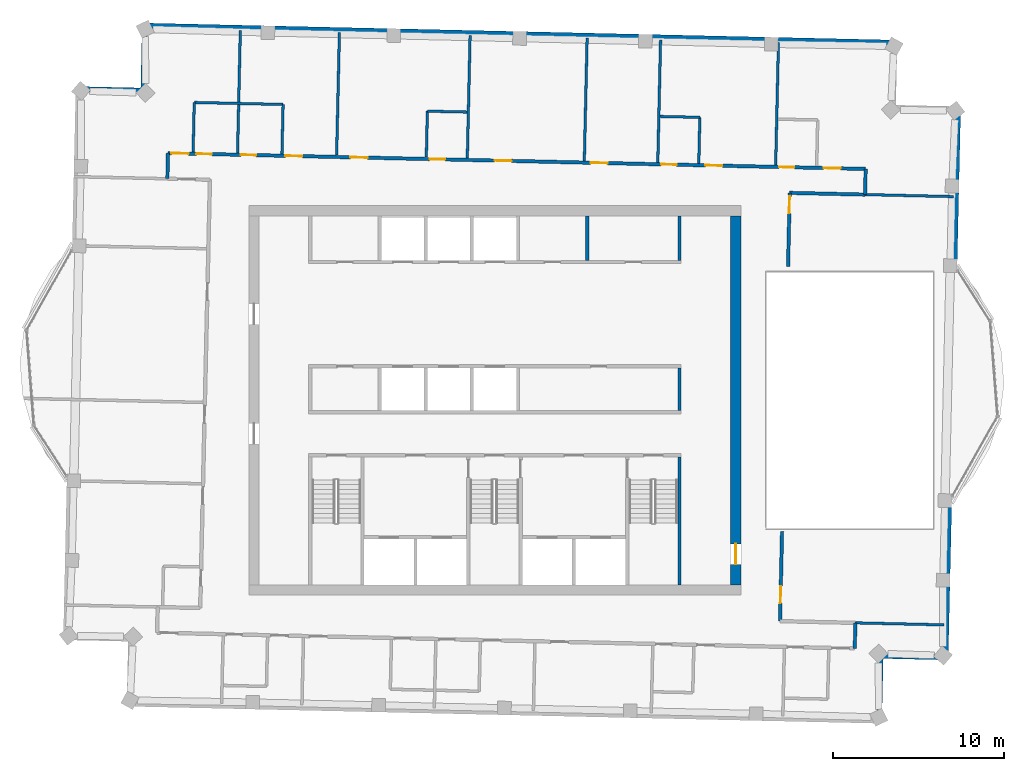
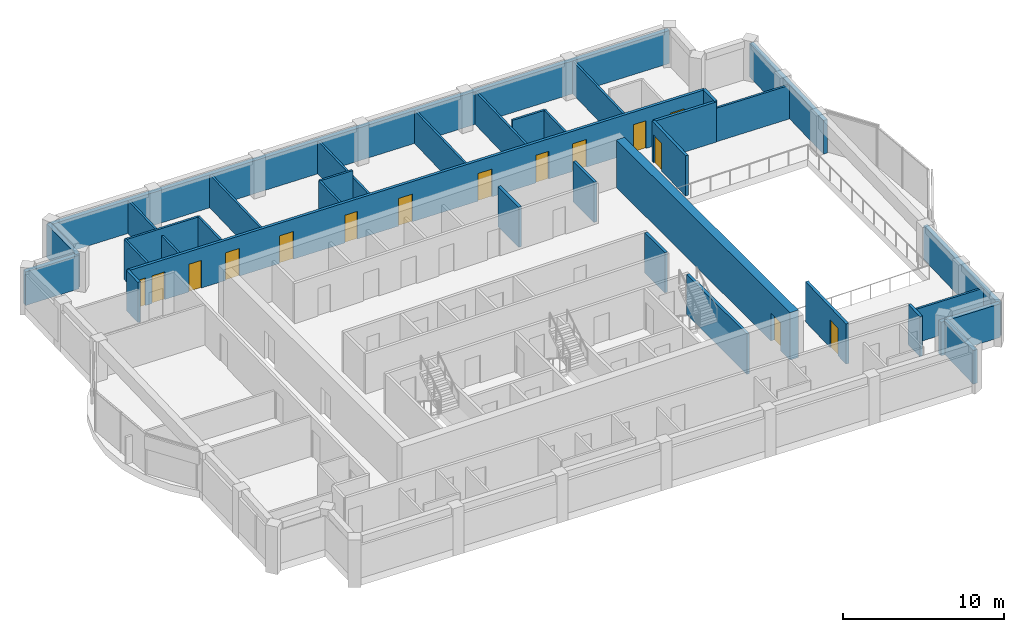
# One storey, part 9 of 12: 34 walls, 15 doors, 15 openings.
"""IFC4 building model written with IfcOpenShell, lengths in metres."""

from ifc_helpers import new_model, si_unit, direction, frame, frame_2d, origin, place, context, subcontext, project, spatial, rectangle, extrude, material, layer, layer_set, type_object, element, fill, save


model = new_model("IFC4")

# Units and contexts
model_context = context("Model", 3, precision=1e-05, world=origin(), true_north=direction((0.0, 1.0)))
body_context = subcontext(model_context, "Body", "Model", "MODEL_VIEW")
ifc_project = project(units=[si_unit("LENGTHUNIT", "METRE"), si_unit("AREAUNIT", "SQUARE_METRE"), si_unit("VOLUMEUNIT", "CUBIC_METRE"), si_unit("PLANEANGLEUNIT", "RADIAN"), si_unit("MASSUNIT", "GRAM", prefix="KILO")], contexts=[model_context])

# Site, building, storey
site_placement = place(None, origin())
site = spatial("IfcSite", under=ifc_project, at=site_placement, CompositionType="ELEMENT")
building_placement = place(site_placement, origin())
building = spatial("IfcBuilding", under=site, at=building_placement, Name="Mangrove Gate Tower", CompositionType="ELEMENT")
storey_placement = place(building_placement, frame((0.0, 0.0, 342.5)))
storey = spatial("IfcBuildingStorey", under=building, at=storey_placement, Name="L87", CompositionType="ELEMENT", Elevation=342.5)

# Walls
ifc_material_1 = material(Name="Concrete C32/40", Category="concrete")
ifc_layer_1 = layer(ifc_material_1, 0.199951171875)
ifc_layer_set_1 = layer_set([ifc_layer_1], Name="Core room wall 200 C32/40")
wall_type_1 = type_object("IfcWallType", Name="Core room wall 200 C32/40", PredefinedType="STANDARD", material=ifc_layer_set_1)
wall_1_placement = place(storey_placement, frame((10.800048828125, -0.60009765625, 0.0), z_axis=(0.0, 0.0, 1.0), x_axis=(0.0, 1.0, 0.0)))
element("IfcWall", 1, at=wall_1_placement, inside=storey, type_object=wall_type_1, Name="WALL-L87-CORE-24", PredefinedType="STANDARD", context=body_context, shape_type="SweptSolid", body=[
    extrude(rectangle(XDim=2.5, YDim=0.199951171875, at=frame_2d((1.25, 0.0))), origin(), (0.0, 0.0, 1.0), 3.050048828125),
])
for number, where, z_axis, x_axis, name in (
    (2, (5.39990234375, 8.199951171875, 0.0), (0.0, 0.0, 1.0), (0.0, 1.0, 0.0), "WALL-L87-CORE-30"),
    (3, (10.800048828125, 8.199951171875, 0.0), (0.0, 0.0, 1.0), (0.0, 1.0, 0.0), "WALL-L87-CORE-31"),
):
    element("IfcWall", number, at=place(storey_placement, frame(where, z_axis=z_axis, x_axis=x_axis)), inside=storey, type_object=wall_type_1, Name=name, PredefinedType="STANDARD", context=body_context, shape_type="SweptSolid", body=[
        extrude(rectangle(XDim=2.60009765625, YDim=0.199951171875, at=frame_2d((1.300048828125, 0.0))), origin(), (0.0, 0.0, 1.0), 3.050048828125),
    ])
ifc_material_2 = material(Name="Concrete C50/60", Category="concrete")
ifc_layer_2 = layer(ifc_material_2, 0.199951171875)
ifc_layer_set_2 = layer_set([ifc_layer_2], Name="Core stair wall 200 C50/60")
wall_type_2 = type_object("IfcWallType", Name="Core stair wall 200 C50/60", PredefinedType="SHEAR", material=ifc_layer_set_2)
wall_2_placement = place(storey_placement, frame((10.800048828125, -10.800048828125, 0.0), z_axis=(0.0, 0.0, 1.0), x_axis=(0.0, 1.0, 0.0)))
element("IfcWall", 4, at=wall_2_placement, inside=storey, type_object=wall_type_2, Name="WALL-L87-CORE-14", PredefinedType="SHEAR", context=body_context, shape_type="SweptSolid", body=[
    extrude(rectangle(XDim=7.5, YDim=0.199951171875, at=frame_2d((3.75, 0.0))), origin(), (0.0, 0.0, 1.0), 3.050048828125),
])

# Wall, opening, door
ifc_material_3 = material(Name="Concrete C50/60", Category="concrete")
ifc_layer_3 = layer(ifc_material_3, 0.60009765625)
ifc_layer_set_3 = layer_set([ifc_layer_3], Name="Core wall 600 C50/60")
wall_type_3 = type_object("IfcWallType", Name="Core wall 600 C50/60", PredefinedType="SHEAR", material=ifc_layer_set_3)
wall_3_placement = place(storey_placement, frame((14.10009765625, -10.800048828125, 0.0), z_axis=(0.0, 0.0, 1.0), x_axis=(0.0, 1.0, 0.0)))
wall_3 = element("IfcWall", 5, at=wall_3_placement, inside=storey, type_object=wall_type_3, Name="WALL-L87-CORE-4", PredefinedType="SHEAR", context=body_context, shape_type="SweptSolid", body=[
    extrude(rectangle(XDim=21.60009765625, YDim=0.60009765625, at=frame_2d((10.800048828125, 0.0))), origin(), (0.0, 0.0, 1.0), 3.60009765625),
])
opening_1_placement = place(wall_3_placement, frame((1.199951171875, 0.0, 0.0)))
opening_1 = element("IfcOpeningElement", 6, at=opening_1_placement, cuts=wall_3, Name="Opening CD", PredefinedType="OPENING", context=body_context, shape_type="SweptSolid", body=[
    extrude(rectangle(XDim=1.199951171875, YDim=2.10009765625, at=frame_2d((0.60009765625, 1.050048828125))), frame((0.0, 0.31005859375, 0.0), z_axis=(0.0, -1.0, 0.0), x_axis=(1.0, 0.0, 0.0)), (0.0, 0.0, 1.0), 0.6201171875),
])
ifc_material_4 = material(Name="Fire-rated steel door set", Category="steel")
door_type_1 = type_object("IfcDoorType", Name="Core ring door FD60 1200x2100", OperationType="DOUBLE_DOOR_SINGLE_SWING", PredefinedType="DOOR", material=ifc_material_4)
door_1_placement = place(opening_1_placement, origin())
door_1 = element("IfcDoor", 7, at=door_1_placement, inside=storey, type_object=door_type_1, Name="Core ring door E1", OperationType="DOUBLE_DOOR_SINGLE_SWING", OverallHeight=2.10009765625, OverallWidth=1.199951171875, PredefinedType="DOOR", context=body_context, shape_type="SweptSolid", body=[
    extrude(rectangle(XDim=1.199951171875, YDim=2.10009765625, at=frame_2d((0.60009765625, 1.050048828125))), frame((0.0, 0.02490234375, 0.0), z_axis=(0.0, -1.0, 0.0), x_axis=(1.0, 0.0, 0.0)), (0.0, 0.0, 1.0), 0.050048828125),
])
fill(opening_1, door_1)

# Wall
ifc_material_5 = material(Name="Gypsum board on steel stud, EI 60", Category="steel")
ifc_layer_4 = layer(ifc_material_5, 0.199951171875)
ifc_layer_set_4 = layer_set([ifc_layer_4], Name="Corridor wall EI 60")
wall_type_4 = type_object("IfcWallType", Name="Corridor wall EI 60", PredefinedType="PARTITIONING", material=ifc_layer_set_4)
wall_4_placement = place(storey_placement, frame((21.05908203125, -14.51806640625, 0.0), z_axis=(0.0, 0.0, 1.0), x_axis=(0.022632637625, 0.99974384905, 0.0)))
element("IfcWall", 8, at=wall_4_placement, inside=storey, type_object=wall_type_4, Name="WALL-L87-018", PredefinedType="PARTITIONING", context=body_context, shape_type="SweptSolid", body=[
    extrude(rectangle(XDim=1.49951171875, YDim=0.199951171875, at=frame_2d((0.749755859375, 0.0))), origin(), (0.0, 0.0, 1.0), 3.050048828125),
])

# Wall, opening, door
wall_5_placement = place(storey_placement, frame((16.68408203125, -12.9189453125, 0.0), z_axis=(0.0, 0.0, 1.0), x_axis=(0.022667483124, 0.999743059595, 0.0)))
wall_5 = element("IfcWall", 9, at=wall_5_placement, inside=storey, type_object=wall_type_4, Name="WALL-L87-024", PredefinedType="PARTITIONING", context=body_context, shape_type="SweptSolid", body=[
    extrude(rectangle(XDim=5.245361328125, YDim=0.199951171875, at=frame_2d((2.62255859375, 0.0))), origin(), (0.0, 0.0, 1.0), 3.050048828125),
])
opening_2_placement = place(wall_5_placement, frame((1.051025390625, 0.0, 0.0)))
opening_2 = element("IfcOpeningElement", 10, at=opening_2_placement, cuts=wall_5, Name="Opening AD", PredefinedType="OPENING", context=body_context, shape_type="SweptSolid", body=[
    extrude(rectangle(XDim=1.0, YDim=2.10009765625, at=frame_2d((0.5, 1.050048828125))), frame((0.0, 0.10986328125, 0.0), z_axis=(0.0, -1.0, 0.0), x_axis=(1.0, 0.0, 0.0)), (0.0, 0.0, 1.0), 0.219970703125),
])
ifc_material_6 = material(Name="Timber door leaf", Category="wood")
door_type_2 = type_object("IfcDoorType", Name="Amenity door 1000", OperationType="SINGLE_SWING_LEFT", PredefinedType="DOOR", material=ifc_material_6)
door_2_placement = place(opening_2_placement, origin())
door_2 = element("IfcDoor", 11, at=door_2_placement, inside=storey, type_object=door_type_2, Name="DOOR-L87-LNG-c2b", OperationType="SINGLE_SWING_RIGHT", OverallHeight=2.10009765625, OverallWidth=1.0, PredefinedType="DOOR", context=body_context, shape_type="SweptSolid", body=[
    extrude(rectangle(XDim=1.0, YDim=2.10009765625, at=frame_2d((0.5, 1.050048828125))), frame((0.0, 0.02490234375, 0.0), z_axis=(0.0, -1.0, 0.0), x_axis=(1.0, 0.0, 0.0)), (0.0, 0.0, 1.0), 0.050048828125),
])
fill(opening_2, door_2)

wall_6_placement = place(storey_placement, frame((17.155029296875, 7.845947265625, 0.0), z_axis=(0.0, 0.0, 1.0), x_axis=(0.022745886685, 0.999741278851, 0.0)))
wall_6 = element("IfcWall", 12, at=wall_6_placement, inside=storey, type_object=wall_type_4, Name="WALL-L87-029", PredefinedType="PARTITIONING", context=body_context, shape_type="SweptSolid", body=[
    extrude(rectangle(XDim=4.30419921875, YDim=0.199951171875, at=frame_2d((2.152099609375, 0.0))), origin(), (0.0, 0.0, 1.0), 3.050048828125),
])
opening_3_placement = place(wall_6_placement, frame((3.10400390625, 0.0, 0.0)))
opening_3 = element("IfcOpeningElement", 13, at=opening_3_placement, cuts=wall_6, Name="Opening AD", PredefinedType="OPENING", context=body_context, shape_type="SweptSolid", body=[
    extrude(rectangle(XDim=1.0, YDim=2.10009765625, at=frame_2d((0.5, 1.050048828125))), frame((0.0, 0.10986328125, 0.0), z_axis=(0.0, -1.0, 0.0), x_axis=(1.0, 0.0, 0.0)), (0.0, 0.0, 1.0), 0.219970703125),
])
door_3_placement = place(opening_3_placement, origin())
door_3 = element("IfcDoor", 14, at=door_3_placement, inside=storey, type_object=door_type_2, Name="DOOR-L87-GAM-c3a", OperationType="SINGLE_SWING_LEFT", OverallHeight=2.10009765625, OverallWidth=1.0, PredefinedType="DOOR", context=body_context, shape_type="SweptSolid", body=[
    extrude(rectangle(XDim=1.0, YDim=2.10009765625, at=frame_2d((0.5, 1.050048828125))), frame((0.0, 0.02490234375, 0.0), z_axis=(0.0, -1.0, 0.0), x_axis=(1.0, 0.0, 0.0)), (0.0, 0.0, 1.0), 0.050048828125),
])
fill(opening_3, door_3)

# Walls
wall_7_placement = place(storey_placement, frame((17.248046875, 12.14501953125, 0.0), z_axis=(0.0, 0.0, 1.0), x_axis=(0.999742606292, -0.022687467127, 0.0)))
element("IfcWall", 15, at=wall_7_placement, inside=storey, type_object=wall_type_4, Name="WALL-L87-033", PredefinedType="PARTITIONING", context=body_context, shape_type="SweptSolid", body=[
    extrude(rectangle(XDim=4.412109375, YDim=0.199951171875, at=frame_2d((2.2060546875, 0.0))), origin(), (0.0, 0.0, 1.0), 3.050048828125),
])
for number, where, z_axis, x_axis, name in (
    (16, (-19.16796875, 12.97509765625, 0.0), (0.0, 0.0, 1.0), (0.022617910375, 0.999744182344, 0.0), "WALL-L87-035"),
    (17, (21.662109375, 12.049072265625, 0.0), (0.0, 0.0, 1.0), (0.022617910375, 0.999744182344, 0.0), "WALL-L87-036"),
):
    element("IfcWall", number, at=place(storey_placement, frame(where, z_axis=z_axis, x_axis=x_axis)), inside=storey, type_object=wall_type_4, Name=name, PredefinedType="PARTITIONING", context=body_context, shape_type="SweptSolid", body=[
        extrude(rectangle(XDim=1.50048828125, YDim=0.199951171875, at=frame_2d((0.750244140625, 0.0))), origin(), (0.0, 0.0, 1.0), 3.050048828125),
    ])

# Wall, openings, doors
wall_8_placement = place(storey_placement, frame((-19.132080078125, 14.470947265625, 0.0), z_axis=(0.0, 0.0, 1.0), x_axis=(0.999742846934, -0.022676860534, 0.0)))
wall_8 = element("IfcWall", 18, at=wall_8_placement, inside=storey, type_object=wall_type_4, Name="WALL-L87-037", PredefinedType="PARTITIONING", context=body_context, shape_type="SweptSolid", body=[
    extrude(rectangle(XDim=40.835693359375, YDim=0.199951171875, at=frame_2d((20.41796875, 0.0))), origin(), (0.0, 0.0, 1.0), 3.050048828125),
])
opening_4_placement = place(wall_8_placement, frame((38.37890625, 0.0, 0.0)))
opening_4 = element("IfcOpeningElement", 19, at=opening_4_placement, cuts=wall_8, Name="Opening AD", PredefinedType="OPENING", context=body_context, shape_type="SweptSolid", body=[
    extrude(rectangle(XDim=1.0, YDim=2.10009765625, at=frame_2d((0.5, 1.050048828125))), frame((0.0, 0.10986328125, 0.0), z_axis=(0.0, -1.0, 0.0), x_axis=(1.0, 0.0, 0.0)), (0.0, 0.0, 1.0), 0.219970703125),
])
opening_5_placement = place(wall_8_placement, frame((35.76806640625, 0.0, 0.0)))
opening_5 = element("IfcOpeningElement", 20, at=opening_5_placement, cuts=wall_8, Name="Opening SD", PredefinedType="OPENING", context=body_context, shape_type="SweptSolid", body=[
    extrude(rectangle(XDim=0.89990234375, YDim=2.10009765625, at=frame_2d((0.449951171875, 1.050048828125))), frame((0.0, 0.10986328125, 0.0), z_axis=(0.0, -1.0, 0.0), x_axis=(1.0, 0.0, 0.0)), (0.0, 0.0, 1.0), 0.219970703125),
])
opening_6_placement = place(wall_8_placement, frame((31.450927734375, 0.0, 0.0)))
opening_6 = element("IfcOpeningElement", 21, at=opening_6_placement, cuts=wall_8, Name="Opening AD", PredefinedType="OPENING", context=body_context, shape_type="SweptSolid", body=[
    extrude(rectangle(XDim=1.0, YDim=2.10009765625, at=frame_2d((0.5, 1.050048828125))), frame((0.0, 0.10986328125, 0.0), z_axis=(0.0, -1.0, 0.0), x_axis=(1.0, 0.0, 0.0)), (0.0, 0.0, 1.0), 0.219970703125),
])
opening_7_placement = place(wall_8_placement, frame((28.867919921875, 0.0, 0.0)))
opening_7 = element("IfcOpeningElement", 22, at=opening_7_placement, cuts=wall_8, Name="Opening SD", PredefinedType="OPENING", context=body_context, shape_type="SweptSolid", body=[
    extrude(rectangle(XDim=0.89990234375, YDim=2.10009765625, at=frame_2d((0.449951171875, 1.050048828125))), frame((0.0, 0.10986328125, 0.0), z_axis=(0.0, -1.0, 0.0), x_axis=(1.0, 0.0, 0.0)), (0.0, 0.0, 1.0), 0.219970703125),
])
opening_8_placement = place(wall_8_placement, frame((24.742919921875, 0.0, 0.0)))
opening_8 = element("IfcOpeningElement", 23, at=opening_8_placement, cuts=wall_8, Name="Opening AD", PredefinedType="OPENING", context=body_context, shape_type="SweptSolid", body=[
    extrude(rectangle(XDim=1.0, YDim=2.10009765625, at=frame_2d((0.5, 1.050048828125))), frame((0.0, 0.10986328125, 0.0), z_axis=(0.0, -1.0, 0.0), x_axis=(1.0, 0.0, 0.0)), (0.0, 0.0, 1.0), 0.219970703125),
])
opening_9_placement = place(wall_8_placement, frame((19.118896484375, 0.0, 0.0)))
opening_9 = element("IfcOpeningElement", 24, at=opening_9_placement, cuts=wall_8, Name="Opening AD", PredefinedType="OPENING", context=body_context, shape_type="SweptSolid", body=[
    extrude(rectangle(XDim=1.0, YDim=2.10009765625, at=frame_2d((0.5, 1.050048828125))), frame((0.0, 0.10986328125, 0.0), z_axis=(0.0, -1.0, 0.0), x_axis=(1.0, 0.0, 0.0)), (0.0, 0.0, 1.0), 0.219970703125),
])
opening_10_placement = place(wall_8_placement, frame((10.680908203125, 0.0, 0.0)))
opening_10 = element("IfcOpeningElement", 25, at=opening_10_placement, cuts=wall_8, Name="Opening AD", PredefinedType="OPENING", context=body_context, shape_type="SweptSolid", body=[
    extrude(rectangle(XDim=1.0, YDim=2.10009765625, at=frame_2d((0.5, 1.050048828125))), frame((0.0, 0.10986328125, 0.0), z_axis=(0.0, -1.0, 0.0), x_axis=(1.0, 0.0, 0.0)), (0.0, 0.0, 1.0), 0.219970703125),
])
opening_11_placement = place(wall_8_placement, frame((15.318115234375, 0.0, 0.0)))
opening_11 = element("IfcOpeningElement", 26, at=opening_11_placement, cuts=wall_8, Name="Opening SD", PredefinedType="OPENING", context=body_context, shape_type="SweptSolid", body=[
    extrude(rectangle(XDim=0.89990234375, YDim=2.10009765625, at=frame_2d((0.449951171875, 1.050048828125))), frame((0.0, 0.10986328125, 0.0), z_axis=(0.0, -1.0, 0.0), x_axis=(1.0, 0.0, 0.0)), (0.0, 0.0, 1.0), 0.219970703125),
])
opening_12_placement = place(wall_8_placement, frame((6.867919921875, 0.0, 0.0)))
opening_12 = element("IfcOpeningElement", 27, at=opening_12_placement, cuts=wall_8, Name="Opening AD", PredefinedType="OPENING", context=body_context, shape_type="SweptSolid", body=[
    extrude(rectangle(XDim=1.0, YDim=2.10009765625, at=frame_2d((0.5, 1.050048828125))), frame((0.0, 0.10986328125, 0.0), z_axis=(0.0, -1.0, 0.0), x_axis=(1.0, 0.0, 0.0)), (0.0, 0.0, 1.0), 0.219970703125),
])
opening_13_placement = place(wall_8_placement, frame((4.26806640625, 0.0, 0.0)))
opening_13 = element("IfcOpeningElement", 28, at=opening_13_placement, cuts=wall_8, Name="Opening SD", PredefinedType="OPENING", context=body_context, shape_type="SweptSolid", body=[
    extrude(rectangle(XDim=0.89990234375, YDim=2.10009765625, at=frame_2d((0.449951171875, 1.050048828125))), frame((0.0, 0.10986328125, 0.0), z_axis=(0.0, -1.0, 0.0), x_axis=(1.0, 0.0, 0.0)), (0.0, 0.0, 1.0), 0.219970703125),
])
opening_14_placement = place(wall_8_placement, frame((0.199951171875, 0.0, 0.0)))
opening_14 = element("IfcOpeningElement", 29, at=opening_14_placement, cuts=wall_8, Name="Opening AD", PredefinedType="OPENING", context=body_context, shape_type="SweptSolid", body=[
    extrude(rectangle(XDim=1.0, YDim=2.10009765625, at=frame_2d((0.5, 1.050048828125))), frame((0.0, 0.10986328125, 0.0), z_axis=(0.0, -1.0, 0.0), x_axis=(1.0, 0.0, 0.0)), (0.0, 0.0, 1.0), 0.219970703125),
])
opening_15_placement = place(wall_8_placement, frame((1.66796875, 0.0, 0.0)))
opening_15 = element("IfcOpeningElement", 30, at=opening_15_placement, cuts=wall_8, Name="Opening SD", PredefinedType="OPENING", context=body_context, shape_type="SweptSolid", body=[
    extrude(rectangle(XDim=0.89990234375, YDim=2.10009765625, at=frame_2d((0.449951171875, 1.050048828125))), frame((0.0, 0.10986328125, 0.0), z_axis=(0.0, -1.0, 0.0), x_axis=(1.0, 0.0, 0.0)), (0.0, 0.0, 1.0), 0.219970703125),
])
door_4_placement = place(opening_4_placement, origin())
door_4 = element("IfcDoor", 31, at=door_4_placement, inside=storey, type_object=door_type_2, Name="DOOR-L87-GAM-c3b", OperationType="SINGLE_SWING_RIGHT", OverallHeight=2.10009765625, OverallWidth=1.0, PredefinedType="DOOR", context=body_context, shape_type="SweptSolid", body=[
    extrude(rectangle(XDim=1.0, YDim=2.10009765625, at=frame_2d((0.5, 1.050048828125))), frame((0.0, 0.02490234375, 0.0), z_axis=(0.0, -1.0, 0.0), x_axis=(1.0, 0.0, 0.0)), (0.0, 0.0, 1.0), 0.050048828125),
])
fill(opening_4, door_4)
door_5_placement = place(opening_6_placement, origin())
door_5 = element("IfcDoor", 32, at=door_5_placement, inside=storey, type_object=door_type_2, Name="DOOR-L87-GAM-c3c", OperationType="SINGLE_SWING_LEFT", OverallHeight=2.10009765625, OverallWidth=1.0, PredefinedType="DOOR", context=body_context, shape_type="SweptSolid", body=[
    extrude(rectangle(XDim=1.0, YDim=2.10009765625, at=frame_2d((0.5, 1.050048828125))), frame((0.0, 0.02490234375, 0.0), z_axis=(0.0, -1.0, 0.0), x_axis=(1.0, 0.0, 0.0)), (0.0, 0.0, 1.0), 0.050048828125),
])
fill(opening_6, door_5)
door_6_placement = place(opening_8_placement, origin())
door_6 = element("IfcDoor", 33, at=door_6_placement, inside=storey, type_object=door_type_2, Name="DOOR-L87-STU-c3a", OperationType="SINGLE_SWING_RIGHT", OverallHeight=2.10009765625, OverallWidth=1.0, PredefinedType="DOOR", context=body_context, shape_type="SweptSolid", body=[
    extrude(rectangle(XDim=1.0, YDim=2.10009765625, at=frame_2d((0.5, 1.050048828125))), frame((0.0, 0.02490234375, 0.0), z_axis=(0.0, -1.0, 0.0), x_axis=(1.0, 0.0, 0.0)), (0.0, 0.0, 1.0), 0.050048828125),
])
fill(opening_8, door_6)
door_7_placement = place(opening_9_placement, origin())
door_7 = element("IfcDoor", 34, at=door_7_placement, inside=storey, type_object=door_type_2, Name="DOOR-L87-GAM-c4a", OperationType="SINGLE_SWING_LEFT", OverallHeight=2.10009765625, OverallWidth=1.0, PredefinedType="DOOR", context=body_context, shape_type="SweptSolid", body=[
    extrude(rectangle(XDim=1.0, YDim=2.10009765625, at=frame_2d((0.5, 1.050048828125))), frame((0.0, 0.02490234375, 0.0), z_axis=(0.0, -1.0, 0.0), x_axis=(1.0, 0.0, 0.0)), (0.0, 0.0, 1.0), 0.050048828125),
])
fill(opening_9, door_7)
door_8_placement = place(opening_10_placement, origin())
door_8 = element("IfcDoor", 35, at=door_8_placement, inside=storey, type_object=door_type_2, Name="DOOR-L87-LNG-c4a", OperationType="SINGLE_SWING_RIGHT", OverallHeight=2.10009765625, OverallWidth=1.0, PredefinedType="DOOR", context=body_context, shape_type="SweptSolid", body=[
    extrude(rectangle(XDim=1.0, YDim=2.10009765625, at=frame_2d((0.5, 1.050048828125))), frame((0.0, 0.02490234375, 0.0), z_axis=(0.0, -1.0, 0.0), x_axis=(1.0, 0.0, 0.0)), (0.0, 0.0, 1.0), 0.050048828125),
])
fill(opening_10, door_8)
door_9_placement = place(opening_12_placement, origin())
door_9 = element("IfcDoor", 36, at=door_9_placement, inside=storey, type_object=door_type_2, Name="DOOR-L87-KIT-c4a", OperationType="SINGLE_SWING_LEFT", OverallHeight=2.10009765625, OverallWidth=1.0, PredefinedType="DOOR", context=body_context, shape_type="SweptSolid", body=[
    extrude(rectangle(XDim=1.0, YDim=2.10009765625, at=frame_2d((0.5, 1.050048828125))), frame((0.0, 0.02490234375, 0.0), z_axis=(0.0, -1.0, 0.0), x_axis=(1.0, 0.0, 0.0)), (0.0, 0.0, 1.0), 0.050048828125),
])
fill(opening_12, door_9)
door_10_placement = place(opening_14_placement, origin())
door_10 = element("IfcDoor", 37, at=door_10_placement, inside=storey, type_object=door_type_2, Name="DOOR-L87-KIT-c4b", OperationType="SINGLE_SWING_RIGHT", OverallHeight=2.10009765625, OverallWidth=1.0, PredefinedType="DOOR", context=body_context, shape_type="SweptSolid", body=[
    extrude(rectangle(XDim=1.0, YDim=2.10009765625, at=frame_2d((0.5, 1.050048828125))), frame((0.0, 0.02490234375, 0.0), z_axis=(0.0, -1.0, 0.0), x_axis=(1.0, 0.0, 0.0)), (0.0, 0.0, 1.0), 0.050048828125),
])
fill(opening_14, door_10)
ifc_material_7 = material(Name="Timber door leaf", Category="wood")
door_type_3 = type_object("IfcDoorType", Name="Service room door 900", OperationType="SINGLE_SWING_LEFT", PredefinedType="DOOR", material=ifc_material_7)
door_11_placement = place(opening_5_placement, origin())
door_11 = element("IfcDoor", 38, at=door_11_placement, inside=storey, type_object=door_type_3, Name="DOOR-L87-WC-c3a", OperationType="SINGLE_SWING_RIGHT", OverallHeight=2.10009765625, OverallWidth=0.89990234375, PredefinedType="DOOR", context=body_context, shape_type="SweptSolid", body=[
    extrude(rectangle(XDim=0.89990234375, YDim=2.10009765625, at=frame_2d((0.449951171875, 1.050048828125))), frame((0.0, 0.02490234375, 0.0), z_axis=(0.0, -1.0, 0.0), x_axis=(1.0, 0.0, 0.0)), (0.0, 0.0, 1.0), 0.050048828125),
])
fill(opening_5, door_11)
door_12_placement = place(opening_7_placement, origin())
door_12 = element("IfcDoor", 39, at=door_12_placement, inside=storey, type_object=door_type_3, Name="DOOR-L87-WC-c3b", OperationType="SINGLE_SWING_LEFT", OverallHeight=2.10009765625, OverallWidth=0.89990234375, PredefinedType="DOOR", context=body_context, shape_type="SweptSolid", body=[
    extrude(rectangle(XDim=0.89990234375, YDim=2.10009765625, at=frame_2d((0.449951171875, 1.050048828125))), frame((0.0, 0.02490234375, 0.0), z_axis=(0.0, -1.0, 0.0), x_axis=(1.0, 0.0, 0.0)), (0.0, 0.0, 1.0), 0.050048828125),
])
fill(opening_7, door_12)
door_13_placement = place(opening_11_placement, origin())
door_13 = element("IfcDoor", 40, at=door_13_placement, inside=storey, type_object=door_type_3, Name="DOOR-L87-WC-c4a", OperationType="SINGLE_SWING_RIGHT", OverallHeight=2.10009765625, OverallWidth=0.89990234375, PredefinedType="DOOR", context=body_context, shape_type="SweptSolid", body=[
    extrude(rectangle(XDim=0.89990234375, YDim=2.10009765625, at=frame_2d((0.449951171875, 1.050048828125))), frame((0.0, 0.02490234375, 0.0), z_axis=(0.0, -1.0, 0.0), x_axis=(1.0, 0.0, 0.0)), (0.0, 0.0, 1.0), 0.050048828125),
])
fill(opening_11, door_13)
door_14_placement = place(opening_13_placement, origin())
door_14 = element("IfcDoor", 41, at=door_14_placement, inside=storey, type_object=door_type_3, Name="DOOR-L87-AWC-c4a", OperationType="SINGLE_SWING_LEFT", OverallHeight=2.10009765625, OverallWidth=0.89990234375, PredefinedType="DOOR", context=body_context, shape_type="SweptSolid", body=[
    extrude(rectangle(XDim=0.89990234375, YDim=2.10009765625, at=frame_2d((0.449951171875, 1.050048828125))), frame((0.0, 0.02490234375, 0.0), z_axis=(0.0, -1.0, 0.0), x_axis=(1.0, 0.0, 0.0)), (0.0, 0.0, 1.0), 0.050048828125),
])
fill(opening_13, door_14)
door_15_placement = place(opening_15_placement, origin())
door_15 = element("IfcDoor", 42, at=door_15_placement, inside=storey, type_object=door_type_3, Name="DOOR-L87-AWC-c4b", OperationType="SINGLE_SWING_RIGHT", OverallHeight=2.10009765625, OverallWidth=0.89990234375, PredefinedType="DOOR", context=body_context, shape_type="SweptSolid", body=[
    extrude(rectangle(XDim=0.89990234375, YDim=2.10009765625, at=frame_2d((0.449951171875, 1.050048828125))), frame((0.0, 0.02490234375, 0.0), z_axis=(0.0, -1.0, 0.0), x_axis=(1.0, 0.0, 0.0)), (0.0, 0.0, 1.0), 0.050048828125),
])
fill(opening_15, door_15)

# Walls
ifc_material_8 = material(Name="Limestone", Category="masonry")
ifc_layer_5 = layer(ifc_material_8, 0.0400390625, Name="Limestone cladding")
ifc_material_9 = material(Name="Ventilated air gap")
ifc_layer_6 = layer(ifc_material_9, 0.0400390625, Name="Ventilated cavity")
ifc_material_10 = material(Name="Mineral wool insulation")
ifc_layer_7 = layer(ifc_material_10, 0.06005859375, Name="Insulation")
ifc_material_11 = material(Name="Breather membrane")
ifc_layer_8 = layer(ifc_material_11, 0.001953125, Name="Breather membrane")
ifc_material_12 = material(Name="Concrete C20/25 blockwork", Category="masonry")
ifc_layer_9 = layer(ifc_material_12, 0.14990234375, Name="Blockwork backing wall")
ifc_material_13 = material(Name="Gypsum plaster")
ifc_layer_10 = layer(ifc_material_13, 0.008056640625, Name="Internal plaster")
ifc_layer_set_5 = layer_set([ifc_layer_5, ifc_layer_6, ifc_layer_7, ifc_layer_8, ifc_layer_9, ifc_layer_10], Name="External wall 300 limestone cladding")
wall_type_5 = type_object("IfcWallType", Name="External wall 300 limestone cladding", PredefinedType="SOLIDWALL", material=ifc_layer_set_5)
wall_9_placement = place(storey_placement, frame((26.37890625, -15.0390625, 0.0), z_axis=(0.0, 0.0, 1.0), x_axis=(0.022668695782, 0.9997430321, 0.0)))
element("IfcWall", 43, at=wall_9_placement, inside=storey, type_object=wall_type_5, Name="WALL-L87-E0s1", PredefinedType="SOLIDWALL", context=body_context, shape_type="SweptSolid", body=[
    extrude(rectangle(XDim=9.574462890625, YDim=0.300048828125, at=frame_2d((4.787109375, 0.0))), origin(), (0.0, 0.0, 1.0), 2.550048828125),
])
wall_10_placement = place(storey_placement, frame((26.889892578125, 7.47998046875, 0.0), z_axis=(0.0, 0.0, 1.0), x_axis=(0.022666384487, 0.999743084504, 0.0)))
element("IfcWall", 44, at=wall_10_placement, inside=storey, type_object=wall_type_5, Name="WALL-L87-E2s1", PredefinedType="SOLIDWALL", context=body_context, shape_type="SweptSolid", body=[
    extrude(rectangle(XDim=9.575439453125, YDim=0.300048828125, at=frame_2d((4.78759765625, 0.0))), origin(), (0.0, 0.0, 1.0), 2.550048828125),
])
wall_11_placement = place(storey_placement, frame((23.39404296875, 20.93798828125, 0.0), z_axis=(0.0, 0.0, 1.0), x_axis=(-0.99974255281, 0.02268982375, 0.0)))
element("IfcWall", 45, at=wall_11_placement, inside=storey, type_object=wall_type_5, Name="WALL-L87-N5", PredefinedType="SOLIDWALL", context=body_context, shape_type="SweptSolid", body=[
    extrude(rectangle(XDim=43.900390625, YDim=0.300048828125, at=frame_2d((21.9501953125, 0.0))), origin(), (0.0, 0.0, 1.0), 2.5),
])
wall_12_placement = place(storey_placement, frame((-20.4951171875, 21.93408203125, 0.0), z_axis=(0.0, 0.0, 1.0), x_axis=(-0.022614868993, -0.999744251146, 0.0)))
element("IfcWall", 46, at=wall_12_placement, inside=storey, type_object=wall_type_5, Name="WALL-L87-W6", PredefinedType="SOLIDWALL", context=body_context, shape_type="SweptSolid", body=[
    extrude(rectangle(XDim=3.800048828125, YDim=0.300048828125, at=frame_2d((1.89990234375, 0.0))), origin(), (0.0, 0.0, 1.0), 2.550048828125),
])
wall_13_placement = place(storey_placement, frame((-20.5810546875, 18.135009765625, 0.0), z_axis=(0.0, 0.0, 1.0), x_axis=(-0.999744218285, 0.022616321648, 0.0)))
element("IfcWall", 47, at=wall_13_placement, inside=storey, type_object=wall_type_5, Name="WALL-L87-N7", PredefinedType="SOLIDWALL", context=body_context, shape_type="SweptSolid", body=[
    extrude(rectangle(XDim=3.7998046875, YDim=0.300048828125, at=frame_2d((1.89990234375, 0.0))), origin(), (0.0, 0.0, 1.0), 2.550048828125),
])
wall_14_placement = place(storey_placement, frame((22.492919921875, -18.751953125, 0.0), z_axis=(0.0, 0.0, 1.0), x_axis=(0.022935935123, 0.999736936839, 0.0)))
element("IfcWall", 48, at=wall_14_placement, inside=storey, type_object=wall_type_5, Name="WALL-L87-E14", PredefinedType="SOLIDWALL", context=body_context, shape_type="SweptSolid", body=[
    extrude(rectangle(XDim=3.800048828125, YDim=0.300048828125, at=frame_2d((1.89990234375, 0.0))), origin(), (0.0, 0.0, 1.0), 2.550048828125),
])
wall_15_placement = place(storey_placement, frame((22.152099609375, -14.943115234375, 0.0), z_axis=(0.0, 0.0, 1.0), x_axis=(0.99974246121, -0.022693859369, 0.0)))
element("IfcWall", 49, at=wall_15_placement, inside=storey, type_object=wall_type_5, Name="WALL-L87-S15s1", PredefinedType="SOLIDWALL", context=body_context, shape_type="SweptSolid", body=[
    extrude(rectangle(XDim=4.227783203125, YDim=0.300048828125, at=frame_2d((2.11376953125, 0.0))), origin(), (0.0, 0.0, 1.0), 2.550048828125),
])
ifc_material_14 = material(Name="Gypsum board on steel stud, EI 60", Category="steel")
ifc_layer_11 = layer(ifc_material_14, 0.14990234375)
ifc_layer_set_6 = layer_set([ifc_layer_11], Name="Party wall 150 EI 60")
wall_type_6 = type_object("IfcWallType", Name="Party wall 150 EI 60", PredefinedType="PARTITIONING", material=ifc_layer_set_6)
wall_16_placement = place(storey_placement, frame((21.0859375, -13.01806640625, 0.0), z_axis=(0.0, 0.0, 1.0), x_axis=(0.999741592512, -0.02273209628, 0.0)))
element("IfcWall", 50, at=wall_16_placement, inside=storey, type_object=wall_type_6, Name="WALL-L87-025", PredefinedType="PARTITIONING", context=body_context, shape_type="SweptSolid", body=[
    extrude(rectangle(XDim=5.187255859375, YDim=0.14990234375, at=frame_2d((2.59375, 0.0))), origin(), (0.0, 0.0, 1.0), 2.550048828125),
])
wall_17_placement = place(storey_placement, frame((21.658935546875, 12.044921875, 0.0), z_axis=(0.0, 0.0, 1.0), x_axis=(0.999741202945, -0.0227492227, 0.0)))
element("IfcWall", 51, at=wall_17_placement, inside=storey, type_object=wall_type_6, Name="WALL-L87-034", PredefinedType="PARTITIONING", context=body_context, shape_type="SweptSolid", body=[
    extrude(rectangle(XDim=5.183349609375, YDim=0.14990234375, at=frame_2d((2.591796875, 0.0))), origin(), (0.0, 0.0, 1.0), 2.550048828125),
])
wall_18_placement = place(storey_placement, frame((-17.662109375, 14.5419921875, 0.0), z_axis=(0.0, 0.0, 1.0), x_axis=(0.022817032779, 0.999739657619, 0.0)))
element("IfcWall", 52, at=wall_18_placement, inside=storey, type_object=wall_type_6, Name="WALL-L87-038", PredefinedType="PARTITIONING", context=body_context, shape_type="SweptSolid", body=[
    extrude(rectangle(XDim=2.899658203125, YDim=0.14990234375, at=frame_2d((1.44970703125, 0.0))), origin(), (0.0, 0.0, 1.0), 3.050048828125),
])
wall_19_placement = place(storey_placement, frame((-15.06201171875, 14.48291015625, 0.0), z_axis=(0.0, 0.0, 1.0), x_axis=(0.022590796125, 0.999744795401, 0.0)))
element("IfcWall", 53, at=wall_19_placement, inside=storey, type_object=wall_type_6, Name="WALL-L87-039", PredefinedType="PARTITIONING", context=body_context, shape_type="SweptSolid", body=[
    extrude(rectangle(XDim=7.176025390625, YDim=0.14990234375, at=frame_2d((3.587890625, 0.0))), origin(), (0.0, 0.0, 1.0), 2.5),
])
wall_20_placement = place(storey_placement, frame((-12.462890625, 14.424072265625, 0.0), z_axis=(0.0, 0.0, 1.0), x_axis=(0.022732880677, 0.999741574676, 0.0)))
element("IfcWall", 54, at=wall_20_placement, inside=storey, type_object=wall_type_6, Name="WALL-L87-040", PredefinedType="PARTITIONING", context=body_context, shape_type="SweptSolid", body=[
    extrude(rectangle(XDim=2.899658203125, YDim=0.14990234375, at=frame_2d((1.44970703125, 0.0))), origin(), (0.0, 0.0, 1.0), 3.050048828125),
])
wall_21_placement = place(storey_placement, frame((-9.263916015625, 14.35107421875, 0.0), z_axis=(0.0, 0.0, 1.0), x_axis=(0.02269358242, 0.999742467497, 0.0)))
element("IfcWall", 55, at=wall_21_placement, inside=storey, type_object=wall_type_6, Name="WALL-L87-041", PredefinedType="PARTITIONING", context=body_context, shape_type="SweptSolid", body=[
    extrude(rectangle(XDim=7.17578125, YDim=0.14990234375, at=frame_2d((3.587890625, 0.0))), origin(), (0.0, 0.0, 1.0), 2.5),
])
wall_22_placement = place(storey_placement, frame((-4.014892578125, 14.23193359375, 0.0), z_axis=(0.0, 0.0, 1.0), x_axis=(0.022518033722, 0.999746436932, 0.0)))
element("IfcWall", 56, at=wall_22_placement, inside=storey, type_object=wall_type_6, Name="WALL-L87-042", PredefinedType="PARTITIONING", context=body_context, shape_type="SweptSolid", body=[
    extrude(rectangle(XDim=2.69970703125, YDim=0.14990234375, at=frame_2d((1.349853515625, 0.0))), origin(), (0.0, 0.0, 1.0), 3.050048828125),
])
for number, where, z_axis, x_axis, name in (
    (57, (-1.615966796875, 14.177978515625, 0.0), (0.0, 0.0, 1.0), (0.022726815178, 0.99974171258, 0.0), "WALL-L87-043"),
    (58, (5.23193359375, 14.02197265625, 0.0), (0.0, 0.0, 1.0), (0.022726815178, 0.99974171258, 0.0), "WALL-L87-044"),
    (59, (9.531005859375, 13.925048828125, 0.0), (0.0, 0.0, 1.0), (0.022726815178, 0.99974171258, 0.0), "WALL-L87-045"),
):
    element("IfcWall", number, at=place(storey_placement, frame(where, z_axis=z_axis, x_axis=x_axis)), inside=storey, type_object=wall_type_6, Name=name, PredefinedType="PARTITIONING", context=body_context, shape_type="SweptSolid", body=[
        extrude(rectangle(XDim=7.176025390625, YDim=0.14990234375, at=frame_2d((3.587890625, 0.0))), origin(), (0.0, 0.0, 1.0), 2.5),
    ])
wall_23_placement = place(storey_placement, frame((11.930908203125, 13.8701171875, 0.0), z_axis=(0.0, 0.0, 1.0), x_axis=(0.02260842146, 0.999744396973, 0.0)))
element("IfcWall", 60, at=wall_23_placement, inside=storey, type_object=wall_type_6, Name="WALL-L87-046", PredefinedType="PARTITIONING", context=body_context, shape_type="SweptSolid", body=[
    extrude(rectangle(XDim=2.69970703125, YDim=0.14990234375, at=frame_2d((1.349853515625, 0.0))), origin(), (0.0, 0.0, 1.0), 3.050048828125),
])
wall_24_placement = place(storey_placement, frame((16.429931640625, 13.76806640625, 0.0), z_axis=(0.0, 0.0, 1.0), x_axis=(0.022591564546, 0.999744778037, 0.0)))
element("IfcWall", 61, at=wall_24_placement, inside=storey, type_object=wall_type_6, Name="WALL-L87-047", PredefinedType="PARTITIONING", context=body_context, shape_type="SweptSolid", body=[
    extrude(rectangle(XDim=7.17578125, YDim=0.14990234375, at=frame_2d((3.587890625, 0.0))), origin(), (0.0, 0.0, 1.0), 2.5),
])
wall_25_placement = place(storey_placement, frame((-3.9541015625, 16.927001953125, 0.0), z_axis=(0.0, 0.0, 1.0), x_axis=(0.999749797124, -0.022368351553, 0.0)))
element("IfcWall", 62, at=wall_25_placement, inside=storey, type_object=wall_type_6, Name="WALL-L87-049", PredefinedType="PARTITIONING", context=body_context, shape_type="SweptSolid", body=[
    extrude(rectangle(XDim=2.32470703125, YDim=0.14990234375, at=frame_2d((1.162353515625, 0.0))), origin(), (0.0, 0.0, 1.0), 3.050048828125),
])
wall_26_placement = place(storey_placement, frame((9.6669921875, 16.617919921875, 0.0), z_axis=(0.0, 0.0, 1.0), x_axis=(0.999740478815, -0.022781023197, 0.0)))
element("IfcWall", 63, at=wall_26_placement, inside=storey, type_object=wall_type_6, Name="WALL-L87-050", PredefinedType="PARTITIONING", context=body_context, shape_type="SweptSolid", body=[
    extrude(rectangle(XDim=2.325439453125, YDim=0.14990234375, at=frame_2d((1.16259765625, 0.0))), origin(), (0.0, 0.0, 1.0), 3.050048828125),
])
wall_27_placement = place(storey_placement, frame((-17.595947265625, 17.43701171875, 0.0), z_axis=(0.0, 0.0, 1.0), x_axis=(0.99974287669, -0.022675548694, 0.0)))
element("IfcWall", 64, at=wall_27_placement, inside=storey, type_object=wall_type_6, Name="WALL-L87-052", PredefinedType="PARTITIONING", context=body_context, shape_type="SweptSolid", body=[
    extrude(rectangle(XDim=5.2001953125, YDim=0.14990234375, at=frame_2d((2.60009765625, 0.0))), origin(), (0.0, 0.0, 1.0), 3.050048828125),
])

save(model, "model.ifc")
